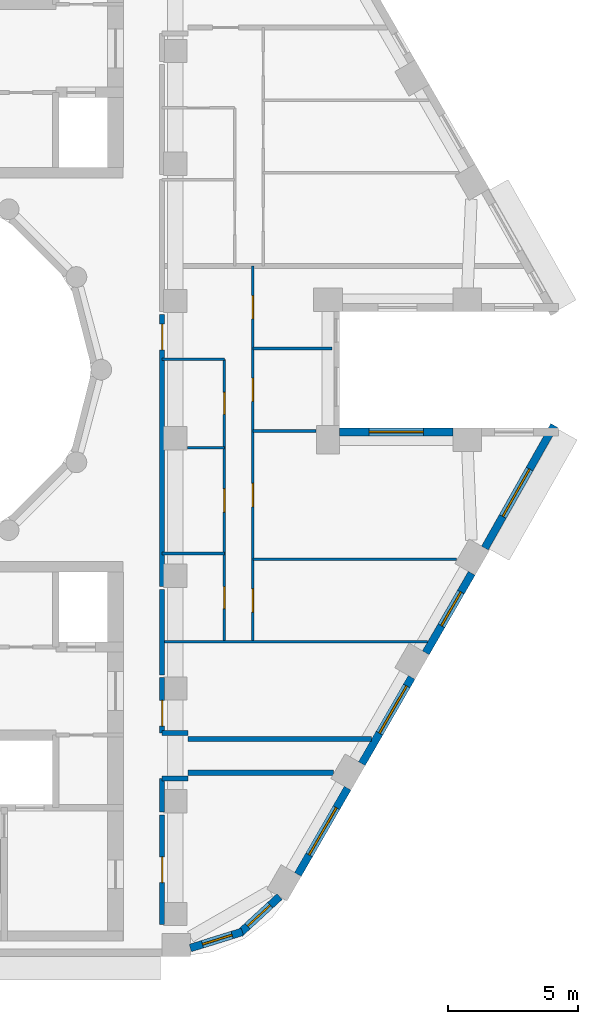
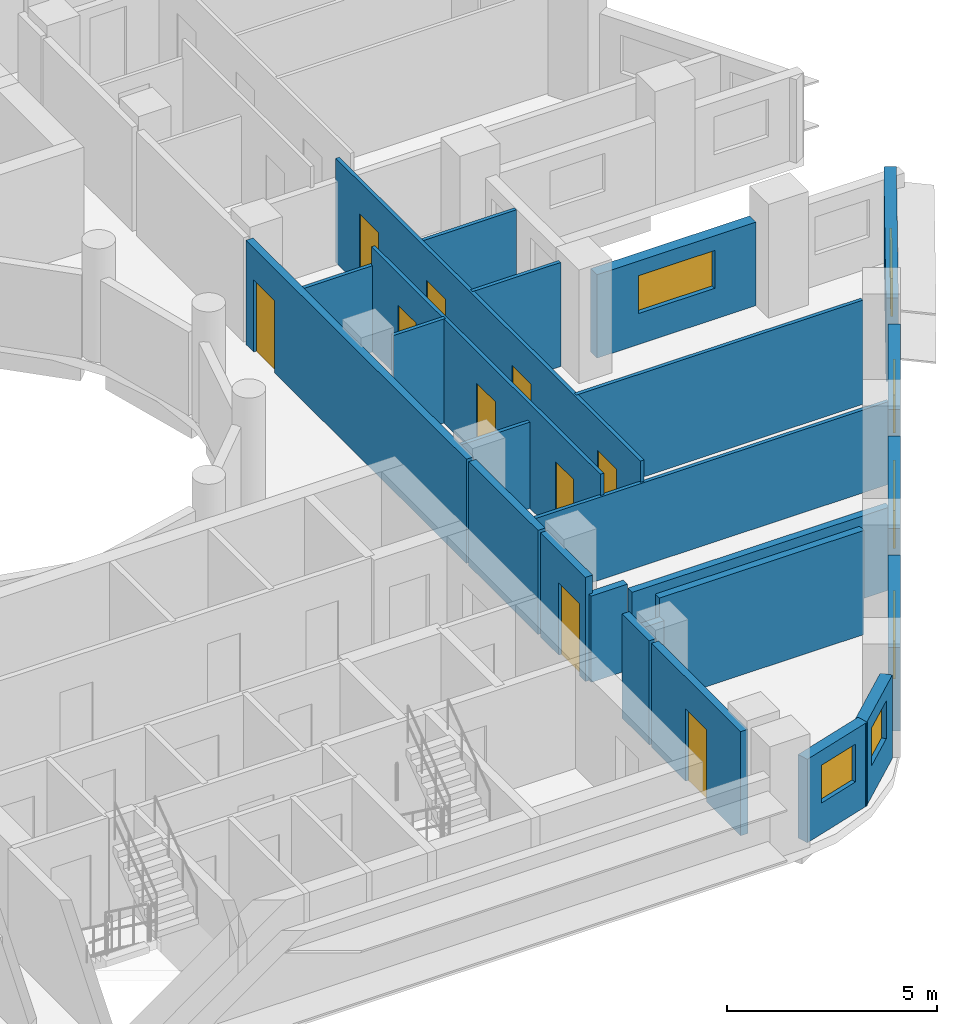
# One storey, part 5 of 12: 25 walls, 10 doors, 7 windows, 17 openings.
"""IFC4 building model written with IfcOpenShell, lengths in metres."""

from ifc_helpers import new_model, si_unit, direction, frame, frame_2d, origin, place, context, subcontext, project, spatial, rectangle, extrude, material, layer, layer_set, type_object, element, fill, save


model = new_model("IFC4")

# Units and contexts
model_context = context("Model", 3, precision=1e-05, world=origin(), true_north=direction((0.0, 1.0)))
body_context = subcontext(model_context, "Body", "Model", "MODEL_VIEW")
ifc_project = project(units=[si_unit("LENGTHUNIT", "METRE"), si_unit("AREAUNIT", "SQUARE_METRE"), si_unit("VOLUMEUNIT", "CUBIC_METRE"), si_unit("PLANEANGLEUNIT", "RADIAN"), si_unit("MASSUNIT", "GRAM", prefix="KILO")], contexts=[model_context])

# Site, building, storey
site_placement = place(None, origin())
site = spatial("IfcSite", under=ifc_project, at=site_placement, CompositionType="ELEMENT")
building_placement = place(site_placement, origin())
building = spatial("IfcBuilding", under=site, at=building_placement, Name="Nakaniwa Court", CompositionType="ELEMENT")
storey_placement = place(building_placement, frame((0.0, 0.0, 249.300048828125)))
storey = spatial("IfcBuildingStorey", under=building, at=storey_placement, Name="L65", CompositionType="ELEMENT", Elevation=249.300048828125)

# Wall, opening, door
ifc_material_1 = material(Name="Acoustic double stud partition")
ifc_layer_1 = layer(ifc_material_1, 0.199951171875)
ifc_layer_set_1 = layer_set([ifc_layer_1], Name="Acoustic double stud partition")
wall_type_1 = type_object("IfcWallType", Name="Acoustic double stud partition 200", PredefinedType="PARTITIONING", material=ifc_layer_set_1)
wall_1_placement = place(storey_placement, frame((89.5, 62.822998046875, 0.0), z_axis=(0.0, 0.0, 1.0), x_axis=(0.0, -1.0, 0.0)))
wall_1 = element("IfcWall", 1, at=wall_1_placement, inside=storey, type_object=wall_type_1, Name="Partition PW-059", PredefinedType="PARTITIONING", context=body_context, shape_type="SweptSolid", body=[
    extrude(rectangle(XDim=4.236083984375, YDim=0.199951171875, at=frame_2d((2.1181640625, 0.0))), origin(), (0.0, 0.0, 1.0), 3.02490234375),
])
opening_1_placement = place(wall_1_placement, frame((1.617919921875, 0.0, 0.0)))
opening_1 = element("IfcOpeningElement", 2, at=opening_1_placement, cuts=wall_1, Name="Opening D-02-01", PredefinedType="OPENING", context=body_context, shape_type="SweptSolid", body=[
    extrude(rectangle(XDim=1.0, YDim=2.10009765625, at=frame_2d((0.5, 1.050048828125))), frame((0.0, 0.10986328125, 0.0), z_axis=(0.0, -1.0, 0.0), x_axis=(1.0, 0.0, 0.0)), (0.0, 0.0, 1.0), 0.219970703125),
])
ifc_material_2 = material(Name="Solid core timber door set, black veneer", Category="wood")
door_type_1 = type_object("IfcDoorType", Name="Internal door 1000", OperationType="NOTDEFINED", PredefinedType="DOOR", material=ifc_material_2)
door_1_placement = place(opening_1_placement, origin())
door_1 = element("IfcDoor", 3, at=door_1_placement, inside=storey, type_object=door_type_1, Name="Door D-02-01 L65-031", OperationType="SINGLE_SWING_RIGHT", OverallHeight=2.10009765625, OverallWidth=1.0, PredefinedType="DOOR", context=body_context, shape_type="SweptSolid", body=[
    extrude(rectangle(XDim=1.0, YDim=2.10009765625, at=frame_2d((0.5, 1.050048828125))), frame((0.0, 0.02490234375, 0.0), z_axis=(0.0, -1.0, 0.0), x_axis=(1.0, 0.0, 0.0)), (0.0, 0.0, 1.0), 0.050048828125),
])
fill(opening_1, door_1)

# Wall
wall_2_placement = place(storey_placement, frame((89.5, 62.93701171875, 0.0), z_axis=(0.0, 0.0, 1.0), x_axis=(0.0, 1.0, 0.0)))
element("IfcWall", 4, at=wall_2_placement, inside=storey, type_object=wall_type_1, Name="Partition PW-060", PredefinedType="PARTITIONING", context=body_context, shape_type="SweptSolid", body=[
    extrude(rectangle(XDim=1.291015625, YDim=0.199951171875, at=frame_2d((0.6455078125, 0.0))), origin(), (0.0, 0.0, 1.0), 3.02490234375),
])

# Wall, opening, door
wall_3_placement = place(storey_placement, frame((89.5, 68.113037109375, 0.0), z_axis=(0.0, 0.0, 1.0), x_axis=(0.0, -1.0, 0.0)))
wall_3 = element("IfcWall", 5, at=wall_3_placement, inside=storey, type_object=wall_type_1, Name="Partition PW-061", PredefinedType="PARTITIONING", context=body_context, shape_type="SweptSolid", body=[
    extrude(rectangle(XDim=2.14111328125, YDim=0.199951171875, at=frame_2d((1.070556640625, 0.0))), origin(), (0.0, 0.0, 1.0), 3.02490234375),
])
opening_2_placement = place(wall_3_placement, frame((0.87109375, 0.0, 0.0)))
opening_2 = element("IfcOpeningElement", 6, at=opening_2_placement, cuts=wall_3, Name="Opening D-02-03", PredefinedType="OPENING", context=body_context, shape_type="SweptSolid", body=[
    extrude(rectangle(XDim=1.0, YDim=2.10009765625, at=frame_2d((0.5, 1.050048828125))), frame((0.0, 0.10986328125, 0.0), z_axis=(0.0, -1.0, 0.0), x_axis=(1.0, 0.0, 0.0)), (0.0, 0.0, 1.0), 0.219970703125),
])
door_2_placement = place(opening_2_placement, origin())
door_2 = element("IfcDoor", 7, at=door_2_placement, inside=storey, type_object=door_type_1, Name="Door D-02-03 L65-059", OperationType="SINGLE_SWING_RIGHT", OverallHeight=2.10009765625, OverallWidth=1.0, PredefinedType="DOOR", context=body_context, shape_type="SweptSolid", body=[
    extrude(rectangle(XDim=1.0, YDim=2.10009765625, at=frame_2d((0.5, 1.050048828125))), frame((0.0, 0.02490234375, 0.0), z_axis=(0.0, -1.0, 0.0), x_axis=(1.0, 0.0, 0.0)), (0.0, 0.0, 1.0), 0.050048828125),
])
fill(opening_2, door_2)

# Wall
wall_4_placement = place(storey_placement, frame((89.5, 68.22705078125, 0.0), z_axis=(0.0, 0.0, 1.0), x_axis=(0.0, 1.0, 0.0)))
element("IfcWall", 8, at=wall_4_placement, inside=storey, type_object=wall_type_1, Name="Partition PW-062", PredefinedType="PARTITIONING", context=body_context, shape_type="SweptSolid", body=[
    extrude(rectangle(XDim=3.2958984375, YDim=0.199951171875, at=frame_2d((1.64794921875, 0.0))), origin(), (0.0, 0.0, 1.0), 3.02490234375),
])

# Wall, opening, door
wall_5_placement = place(storey_placement, frame((89.5, 82.123046875, 0.0), z_axis=(0.0, 0.0, 1.0), x_axis=(0.0, -1.0, 0.0)))
wall_5 = element("IfcWall", 9, at=wall_5_placement, inside=storey, type_object=wall_type_1, Name="Partition PW-063", PredefinedType="PARTITIONING", context=body_context, shape_type="SweptSolid", body=[
    extrude(rectangle(XDim=10.486083984375, YDim=0.199951171875, at=frame_2d((5.2431640625, 0.0))), origin(), (0.0, 0.0, 1.0), 3.02490234375),
])
opening_3_placement = place(wall_5_placement, frame((0.363037109375, 0.0, 0.0)))
opening_3 = element("IfcOpeningElement", 10, at=opening_3_placement, cuts=wall_5, Name="Opening D-01-01", PredefinedType="OPENING", context=body_context, shape_type="SweptSolid", body=[
    extrude(rectangle(XDim=1.0, YDim=2.10009765625, at=frame_2d((0.5, 1.050048828125))), frame((0.0, 0.10986328125, 0.0), z_axis=(0.0, -1.0, 0.0), x_axis=(1.0, 0.0, 0.0)), (0.0, 0.0, 1.0), 0.219970703125),
])
door_type_2 = type_object("IfcDoorType", Name="Flat entrance door 1000", OperationType="NOTDEFINED", PredefinedType="DOOR", material=ifc_material_2)
door_3_placement = place(opening_3_placement, origin())
door_3 = element("IfcDoor", 11, at=door_3_placement, inside=storey, type_object=door_type_2, Name="Door D-01-01 L65-032", OperationType="SINGLE_SWING_LEFT", OverallHeight=2.10009765625, OverallWidth=1.0, PredefinedType="DOOR", context=body_context, shape_type="SweptSolid", body=[
    extrude(rectangle(XDim=1.0, YDim=2.10009765625, at=frame_2d((0.5, 1.050048828125))), frame((0.0, 0.02490234375, 0.0), z_axis=(0.0, -1.0, 0.0), x_axis=(1.0, 0.0, 0.0)), (0.0, 0.0, 1.0), 0.050048828125),
])
fill(opening_3, door_3)

# Walls
wall_6_placement = place(storey_placement, frame((90.5, 64.449951171875, 0.0), z_axis=(0.0, 0.0, 1.0), x_axis=(1.0, 0.0, 0.0)))
element("IfcWall", 12, at=wall_6_placement, inside=storey, type_object=wall_type_1, Name="Partition PW-079", PredefinedType="PARTITIONING", context=body_context, shape_type="SweptSolid", body=[
    extrude(rectangle(XDim=5.61669921875, YDim=0.199951171875, at=frame_2d((2.808349609375, 0.0))), origin(), (0.0, 0.0, 1.0), 3.02490234375),
])
for number, where, z_axis, x_axis, name in (
    (13, (89.5, 64.22509765625, 0.0), (0.0, 0.0, 1.0), (1.0, 0.0, 0.0), "Partition PW-081"),
    (14, (89.5, 65.97509765625, 0.0), (0.0, 0.0, 1.0), (1.0, 0.0, 0.0), "Partition PW-083"),
):
    element("IfcWall", number, at=place(storey_placement, frame(where, z_axis=z_axis, x_axis=x_axis)), inside=storey, type_object=wall_type_1, Name=name, PredefinedType="PARTITIONING", context=body_context, shape_type="SweptSolid", body=[
        extrude(rectangle(XDim=1.0, YDim=0.199951171875, at=frame_2d((0.5, 0.0))), origin(), (0.0, 0.0, 1.0), 2.5048828125),
    ])
wall_7_placement = place(storey_placement, frame((90.5, 65.75, 0.0), z_axis=(0.0, 0.0, 1.0), x_axis=(1.0, 0.0, 0.0)))
element("IfcWall", 15, at=wall_7_placement, inside=storey, type_object=wall_type_1, Name="Partition PW-085", PredefinedType="PARTITIONING", context=body_context, shape_type="SweptSolid", body=[
    extrude(rectangle(XDim=7.080322265625, YDim=0.199951171875, at=frame_2d((3.5400390625, 0.0))), origin(), (0.0, 0.0, 1.0), 2.405029296875),
])

# Wall, opening, window
ifc_material_3 = material(Name="Charcoal ceramic cladding")
ifc_layer_2 = layer(ifc_material_3, 0.02, Name="Ceramic cladding")
ifc_material_4 = material(Name="Ventilated air cavity")
ifc_layer_3 = layer(ifc_material_4, 0.04, ventilated=True, Name="Ventilated cavity")
ifc_material_5 = material(Name="Mineral wool insulation")
ifc_layer_4 = layer(ifc_material_5, 0.1, Name="Insulation")
ifc_material_6 = material(Name="Cement bonded sheathing board")
ifc_layer_5 = layer(ifc_material_6, 0.012, Name="Sheathing")
ifc_material_7 = material(Name="Cold-formed galvanised stud frame with mineral wool infill")
ifc_layer_6 = layer(ifc_material_7, 0.1, Name="Stud frame")
ifc_material_8 = material(Name="Fire-rated gypsum plasterboard lining")
ifc_layer_7 = layer(ifc_material_8, 0.028, Name="Lining")
ifc_layer_set_2 = layer_set([ifc_layer_2, ifc_layer_3, ifc_layer_4, ifc_layer_5, ifc_layer_6, ifc_layer_7], Name="Charcoal ceramic faced external wall system")
wall_type_2 = type_object("IfcWallType", Name="Black ceramic faced external wall 300", PredefinedType="SOLIDWALL", material=ifc_layer_set_2)
wall_8_placement = place(storey_placement, frame((90.585693359375, 57.68408203125, 0.0), z_axis=(0.0, 0.0, 1.0), x_axis=(0.954941641926, 0.296793632875, 0.0)))
wall_8 = element("IfcWall", 16, at=wall_8_placement, inside=storey, type_object=wall_type_2, Name="L65 external wall 27", PredefinedType="SOLIDWALL", context=body_context, shape_type="SweptSolid", body=[
    extrude(rectangle(XDim=2.1025390625, YDim=0.300048828125, at=frame_2d((1.05126953125, 0.0))), origin(), (0.0, 0.0, 1.0), 2.425048828125),
])
opening_4_placement = place(wall_8_placement, frame((0.490234375, 0.0, 0.89990234375)))
opening_4 = element("IfcOpeningElement", 17, at=opening_4_placement, cuts=wall_8, Name="Opening W6.28", PredefinedType="OPENING", context=body_context, shape_type="SweptSolid", body=[
    extrude(rectangle(XDim=1.199951171875, YDim=1.10009765625, at=frame_2d((0.60009765625, 0.550048828125))), frame((0.0, 0.159912109375, 0.0), z_axis=(0.0, -1.0, 0.0), x_axis=(1.0, 0.0, 0.0)), (0.0, 0.0, 1.0), 0.320068359375),
])
ifc_material_9 = material(Name="Black anodised aluminium frame with dark low-E laminated double glazing", Category="aluminium")
window_type_1 = type_object("IfcWindowType", Name="Dark glass window 1200x1100 sill 900", PartitioningType="SINGLE_PANEL", PredefinedType="WINDOW", material=ifc_material_9)
window_1_placement = place(opening_4_placement, origin())
window_1 = element("IfcWindow", 18, at=window_1_placement, inside=storey, type_object=window_type_1, Name="L65 habitable room window 27-0", OverallHeight=1.10009765625, OverallWidth=1.199951171875, PartitioningType="SINGLE_PANEL", PredefinedType="WINDOW", context=body_context, shape_type="SweptSolid", body=[
    extrude(rectangle(XDim=1.199951171875, YDim=1.10009765625, at=frame_2d((0.60009765625, 0.550048828125))), frame((0.0, 0.030029296875, 0.0), z_axis=(0.0, -1.0, 0.0), x_axis=(1.0, 0.0, 0.0)), (0.0, 0.0, 1.0), 0.06005859375),
])
fill(opening_4, window_1)

wall_9_placement = place(storey_placement, frame((92.489501953125, 58.247314453125, 0.0), z_axis=(0.0, 0.0, 1.0), x_axis=(0.734830223907, 0.678251090698, 0.0)))
wall_9 = element("IfcWall", 19, at=wall_9_placement, inside=storey, type_object=wall_type_2, Name="L65 external wall 28", PredefinedType="SOLIDWALL", context=body_context, shape_type="SweptSolid", body=[
    extrude(rectangle(XDim=2.09716796875, YDim=0.300048828125, at=frame_2d((1.048583984375, 0.0))), origin(), (0.0, 0.0, 1.0), 2.425048828125),
])
opening_5_placement = place(wall_9_placement, frame((0.409423828125, 0.0, 0.89990234375)))
opening_5 = element("IfcOpeningElement", 20, at=opening_5_placement, cuts=wall_9, Name="Opening W6.29", PredefinedType="OPENING", context=body_context, shape_type="SweptSolid", body=[
    extrude(rectangle(XDim=1.199951171875, YDim=1.10009765625, at=frame_2d((0.60009765625, 0.550048828125))), frame((0.0, 0.159912109375, 0.0), z_axis=(0.0, -1.0, 0.0), x_axis=(1.0, 0.0, 0.0)), (0.0, 0.0, 1.0), 0.320068359375),
])
window_2_placement = place(opening_5_placement, origin())
window_2 = element("IfcWindow", 21, at=window_2_placement, inside=storey, type_object=window_type_1, Name="L65 habitable room window 28-0", OverallHeight=1.10009765625, OverallWidth=1.199951171875, PartitioningType="SINGLE_PANEL", PredefinedType="WINDOW", context=body_context, shape_type="SweptSolid", body=[
    extrude(rectangle(XDim=1.199951171875, YDim=1.10009765625, at=frame_2d((0.60009765625, 0.550048828125))), frame((0.0, 0.030029296875, 0.0), z_axis=(0.0, -1.0, 0.0), x_axis=(1.0, 0.0, 0.0)), (0.0, 0.0, 1.0), 0.06005859375),
])
fill(opening_5, window_2)

wall_10_placement = place(storey_placement, frame((94.73583984375, 60.523193359375, 0.0), z_axis=(0.0, 0.0, 1.0), x_axis=(0.499984490703, 0.866034357896, 0.0)))
wall_10 = element("IfcWall", 22, at=wall_10_placement, inside=storey, type_object=wall_type_2, Name="L65 external wall 29", PredefinedType="SOLIDWALL", context=body_context, shape_type="SweptSolid", body=[
    extrude(rectangle(XDim=3.84423828125, YDim=0.300048828125, at=frame_2d((1.922119140625, 0.0))), origin(), (0.0, 0.0, 1.0), 2.425048828125),
])
opening_6_placement = place(wall_10_placement, frame((0.872314453125, 0.0, 0.89990234375)))
opening_6 = element("IfcOpeningElement", 23, at=opening_6_placement, cuts=wall_10, Name="Opening W7.30", PredefinedType="OPENING", context=body_context, shape_type="SweptSolid", body=[
    extrude(rectangle(XDim=2.10009765625, YDim=1.10009765625, at=frame_2d((1.050048828125, 0.550048828125))), frame((0.0, 0.159912109375, 0.0), z_axis=(0.0, -1.0, 0.0), x_axis=(1.0, 0.0, 0.0)), (0.0, 0.0, 1.0), 0.320068359375),
])
window_type_2 = type_object("IfcWindowType", Name="Dark glass window 2100x1100 sill 900", PartitioningType="SINGLE_PANEL", PredefinedType="WINDOW", material=ifc_material_9)
window_3_placement = place(opening_6_placement, origin())
window_3 = element("IfcWindow", 24, at=window_3_placement, inside=storey, type_object=window_type_2, Name="L65 habitable room window 29-0", OverallHeight=1.10009765625, OverallWidth=2.10009765625, PartitioningType="SINGLE_PANEL", PredefinedType="WINDOW", context=body_context, shape_type="SweptSolid", body=[
    extrude(rectangle(XDim=2.10009765625, YDim=1.10009765625, at=frame_2d((1.050048828125, 0.550048828125))), frame((0.0, 0.030029296875, 0.0), z_axis=(0.0, -1.0, 0.0), x_axis=(1.0, 0.0, 0.0)), (0.0, 0.0, 1.0), 0.06005859375),
])
fill(opening_6, window_3)

wall_11_placement = place(storey_placement, frame((97.2041015625, 64.798095703125, 0.0), z_axis=(0.0, 0.0, 1.0), x_axis=(0.499984490703, 0.866034357896, 0.0)))
wall_11 = element("IfcWall", 25, at=wall_11_placement, inside=storey, type_object=wall_type_2, Name="L65 external wall 30", PredefinedType="SOLIDWALL", context=body_context, shape_type="SweptSolid", body=[
    extrude(rectangle(XDim=3.84423828125, YDim=0.300048828125, at=frame_2d((1.922119140625, 0.0))), origin(), (0.0, 0.0, 1.0), 2.425048828125),
])
opening_7_placement = place(wall_11_placement, frame((1.360595703125, 0.0, 0.89990234375)))
opening_7 = element("IfcOpeningElement", 26, at=opening_7_placement, cuts=wall_11, Name="Opening W7.31", PredefinedType="OPENING", context=body_context, shape_type="SweptSolid", body=[
    extrude(rectangle(XDim=2.10009765625, YDim=1.10009765625, at=frame_2d((1.050048828125, 0.550048828125))), frame((0.0, 0.159912109375, 0.0), z_axis=(0.0, -1.0, 0.0), x_axis=(1.0, 0.0, 0.0)), (0.0, 0.0, 1.0), 0.320068359375),
])
window_4_placement = place(opening_7_placement, origin())
window_4 = element("IfcWindow", 27, at=window_4_placement, inside=storey, type_object=window_type_2, Name="L65 habitable room window 30-1", OverallHeight=1.10009765625, OverallWidth=2.10009765625, PartitioningType="SINGLE_PANEL", PredefinedType="WINDOW", context=body_context, shape_type="SweptSolid", body=[
    extrude(rectangle(XDim=2.10009765625, YDim=1.10009765625, at=frame_2d((1.050048828125, 0.550048828125))), frame((0.0, 0.030029296875, 0.0), z_axis=(0.0, -1.0, 0.0), x_axis=(1.0, 0.0, 0.0)), (0.0, 0.0, 1.0), 0.06005859375),
])
fill(opening_7, window_4)

wall_12_placement = place(storey_placement, frame((99.672119140625, 69.072998046875, 0.0), z_axis=(0.0, 0.0, 1.0), x_axis=(0.500010404316, 0.866019396766, 0.0)))
wall_12 = element("IfcWall", 28, at=wall_12_placement, inside=storey, type_object=wall_type_2, Name="L65 external wall 31", PredefinedType="SOLIDWALL", context=body_context, shape_type="SweptSolid", body=[
    extrude(rectangle(XDim=3.54736328125, YDim=0.300048828125, at=frame_2d((1.773681640625, 0.0))), origin(), (0.0, 0.0, 1.0), 2.425048828125),
])
opening_8_placement = place(wall_12_placement, frame((1.208984375, 0.0, 0.89990234375)))
opening_8 = element("IfcOpeningElement", 29, at=opening_8_placement, cuts=wall_12, Name="Opening W5.32", PredefinedType="OPENING", context=body_context, shape_type="SweptSolid", body=[
    extrude(rectangle(XDim=1.5, YDim=1.10009765625, at=frame_2d((0.75, 0.550048828125))), frame((0.0, 0.159912109375, 0.0), z_axis=(0.0, -1.0, 0.0), x_axis=(1.0, 0.0, 0.0)), (0.0, 0.0, 1.0), 0.320068359375),
])
window_type_3 = type_object("IfcWindowType", Name="Dark glass window 1500x1100 sill 900", PartitioningType="SINGLE_PANEL", PredefinedType="WINDOW", material=ifc_material_9)
window_5_placement = place(opening_8_placement, origin())
window_5 = element("IfcWindow", 30, at=window_5_placement, inside=storey, type_object=window_type_3, Name="L65 bedroom window 31-1", OverallHeight=1.10009765625, OverallWidth=1.5, PartitioningType="SINGLE_PANEL", PredefinedType="WINDOW", context=body_context, shape_type="SweptSolid", body=[
    extrude(rectangle(XDim=1.5, YDim=1.10009765625, at=frame_2d((0.75, 0.550048828125))), frame((0.0, 0.030029296875, 0.0), z_axis=(0.0, -1.0, 0.0), x_axis=(1.0, 0.0, 0.0)), (0.0, 0.0, 1.0), 0.06005859375),
])
fill(opening_8, window_5)

wall_13_placement = place(storey_placement, frame((101.951904296875, 73.113525390625, 0.0), z_axis=(0.0, 0.0, 1.0), x_axis=(0.492080931903, 0.870549456641, 0.0)))
wall_13 = element("IfcWall", 31, at=wall_13_placement, inside=storey, type_object=wall_type_2, Name="L65 external wall 32", PredefinedType="SOLIDWALL", context=body_context, shape_type="SweptSolid", body=[
    extrude(rectangle(XDim=5.436767578125, YDim=0.300048828125, at=frame_2d((2.71826171875, 0.0))), origin(), (0.0, 0.0, 1.0), 2.425048828125),
])
opening_9_placement = place(wall_13_placement, frame((1.405517578125, 0.0, 0.89990234375)))
opening_9 = element("IfcOpeningElement", 32, at=opening_9_placement, cuts=wall_13, Name="Opening W7.33", PredefinedType="OPENING", context=body_context, shape_type="SweptSolid", body=[
    extrude(rectangle(XDim=2.10009765625, YDim=1.10009765625, at=frame_2d((1.050048828125, 0.550048828125))), frame((0.0, 0.159912109375, 0.0), z_axis=(0.0, -1.0, 0.0), x_axis=(1.0, 0.0, 0.0)), (0.0, 0.0, 1.0), 0.320068359375),
])
window_6_placement = place(opening_9_placement, origin())
window_6 = element("IfcWindow", 33, at=window_6_placement, inside=storey, type_object=window_type_2, Name="L65 living window 32-0", OverallHeight=1.10009765625, OverallWidth=2.10009765625, PartitioningType="SINGLE_PANEL", PredefinedType="WINDOW", context=body_context, shape_type="SweptSolid", body=[
    extrude(rectangle(XDim=2.10009765625, YDim=1.10009765625, at=frame_2d((1.050048828125, 0.550048828125))), frame((0.0, 0.030029296875, 0.0), z_axis=(0.0, -1.0, 0.0), x_axis=(1.0, 0.0, 0.0)), (0.0, 0.0, 1.0), 0.06005859375),
])
fill(opening_9, window_6)

wall_14_placement = place(storey_placement, frame((100.718017578125, 77.60009765625, 0.0), z_axis=(0.0, 0.0, 1.0), x_axis=(-1.0, 0.0, 0.0)))
wall_14 = element("IfcWall", 34, at=wall_14_placement, inside=storey, type_object=wall_type_2, Name="L65 external wall 34", PredefinedType="SOLIDWALL", context=body_context, shape_type="SweptSolid", body=[
    extrude(rectangle(XDim=4.37255859375, YDim=0.300048828125, at=frame_2d((2.186279296875, 0.0))), origin(), (0.0, 0.0, 1.0), 2.425048828125),
])
opening_10_placement = place(wall_14_placement, frame((1.13623046875, 0.0, 0.89990234375)))
opening_10 = element("IfcOpeningElement", 35, at=opening_10_placement, cuts=wall_14, Name="Opening W7.35", PredefinedType="OPENING", context=body_context, shape_type="SweptSolid", body=[
    extrude(rectangle(XDim=2.10009765625, YDim=1.10009765625, at=frame_2d((1.050048828125, 0.550048828125))), frame((0.0, 0.159912109375, 0.0), z_axis=(0.0, -1.0, 0.0), x_axis=(1.0, 0.0, 0.0)), (0.0, 0.0, 1.0), 0.320068359375),
])
window_7_placement = place(opening_10_placement, origin())
window_7 = element("IfcWindow", 36, at=window_7_placement, inside=storey, type_object=window_type_2, Name="L65 living window 34-0", OverallHeight=1.10009765625, OverallWidth=2.10009765625, PartitioningType="SINGLE_PANEL", PredefinedType="WINDOW", context=body_context, shape_type="SweptSolid", body=[
    extrude(rectangle(XDim=2.10009765625, YDim=1.10009765625, at=frame_2d((1.050048828125, 0.550048828125))), frame((0.0, 0.030029296875, 0.0), z_axis=(0.0, -1.0, 0.0), x_axis=(1.0, 0.0, 0.0)), (0.0, 0.0, 1.0), 0.06005859375),
])
fill(opening_10, window_7)

# Wall
ifc_material_10 = material(Name="Single stud plasterboard partition")
ifc_layer_8 = layer(ifc_material_10, 0.10009765625)
ifc_layer_set_3 = layer_set([ifc_layer_8], Name="Single stud plasterboard partition")
wall_type_3 = type_object("IfcWallType", Name="Single stud plasterboard partition 100", PredefinedType="PARTITIONING", material=ifc_layer_set_3)
wall_15_placement = place(storey_placement, frame((89.5, 72.906005859375, 0.0), z_axis=(0.0, 0.0, 1.0), x_axis=(1.0, 0.0, 0.0)))
element("IfcWall", 37, at=wall_15_placement, inside=storey, type_object=wall_type_3, Name="Partition PW-096", PredefinedType="PARTITIONING", context=body_context, shape_type="SweptSolid", body=[
    extrude(rectangle(XDim=2.39990234375, YDim=0.10009765625, at=frame_2d((1.199951171875, 0.0))), origin(), (0.0, 0.0, 1.0), 2.5048828125),
])

# Wall, openings, doors
wall_16_placement = place(storey_placement, frame((91.89990234375, 69.5, 0.0), z_axis=(0.0, 0.0, 1.0), x_axis=(0.0, 1.0, 0.0)))
wall_16 = element("IfcWall", 38, at=wall_16_placement, inside=storey, type_object=wall_type_3, Name="Partition PW-097", PredefinedType="PARTITIONING", context=body_context, shape_type="SweptSolid", body=[
    extrude(rectangle(XDim=10.89990234375, YDim=0.10009765625, at=frame_2d((5.449951171875, 0.0))), origin(), (0.0, 0.0, 1.0), 3.02490234375),
])
opening_11_placement = place(wall_16_placement, frame((1.278076171875, 0.0, 0.0)))
opening_11 = element("IfcOpeningElement", 39, at=opening_11_placement, cuts=wall_16, Name="Opening D-03-01", PredefinedType="OPENING", context=body_context, shape_type="SweptSolid", body=[
    extrude(rectangle(XDim=0.85009765625, YDim=2.10009765625, at=frame_2d((0.425048828125, 1.050048828125))), frame((0.0, 0.06005859375, 0.0), z_axis=(0.0, -1.0, 0.0), x_axis=(1.0, 0.0, 0.0)), (0.0, 0.0, 1.0), 0.1201171875),
])
opening_12_placement = place(wall_16_placement, frame((5.0, 0.0, 0.0)))
opening_12 = element("IfcOpeningElement", 40, at=opening_12_placement, cuts=wall_16, Name="Opening D-33-01", PredefinedType="OPENING", context=body_context, shape_type="SweptSolid", body=[
    extrude(rectangle(XDim=0.89990234375, YDim=2.10009765625, at=frame_2d((0.449951171875, 1.050048828125))), frame((0.0, 0.06005859375, 0.0), z_axis=(0.0, -1.0, 0.0), x_axis=(1.0, 0.0, 0.0)), (0.0, 0.0, 1.0), 0.1201171875),
])
opening_13_placement = place(wall_16_placement, frame((8.77197265625, 0.0, 0.0)))
opening_13 = element("IfcOpeningElement", 41, at=opening_13_placement, cuts=wall_16, Name="Opening D-03-02", PredefinedType="OPENING", context=body_context, shape_type="SweptSolid", body=[
    extrude(rectangle(XDim=0.85009765625, YDim=2.10009765625, at=frame_2d((0.425048828125, 1.050048828125))), frame((0.0, 0.06005859375, 0.0), z_axis=(0.0, -1.0, 0.0), x_axis=(1.0, 0.0, 0.0)), (0.0, 0.0, 1.0), 0.1201171875),
])
ifc_material_11 = material(Name="Moisture sealed timber door set", Category="wood")
door_type_3 = type_object("IfcDoorType", Name="Bathroom door 850", OperationType="NOTDEFINED", PredefinedType="DOOR", material=ifc_material_11)
door_4_placement = place(opening_11_placement, origin())
door_4 = element("IfcDoor", 42, at=door_4_placement, inside=storey, type_object=door_type_3, Name="Door D-03-01 L65-033", OperationType="SINGLE_SWING_RIGHT", OverallHeight=2.10009765625, OverallWidth=0.85009765625, PredefinedType="DOOR", context=body_context, shape_type="SweptSolid", body=[
    extrude(rectangle(XDim=0.85009765625, YDim=2.10009765625, at=frame_2d((0.425048828125, 1.050048828125))), frame((0.0, 0.02490234375, 0.0), z_axis=(0.0, -1.0, 0.0), x_axis=(1.0, 0.0, 0.0)), (0.0, 0.0, 1.0), 0.050048828125),
])
fill(opening_11, door_4)
door_5_placement = place(opening_13_placement, origin())
door_5 = element("IfcDoor", 43, at=door_5_placement, inside=storey, type_object=door_type_3, Name="Door D-03-02 L65-035", OperationType="SINGLE_SWING_RIGHT", OverallHeight=2.10009765625, OverallWidth=0.85009765625, PredefinedType="DOOR", context=body_context, shape_type="SweptSolid", body=[
    extrude(rectangle(XDim=0.85009765625, YDim=2.10009765625, at=frame_2d((0.425048828125, 1.050048828125))), frame((0.0, 0.02490234375, 0.0), z_axis=(0.0, -1.0, 0.0), x_axis=(1.0, 0.0, 0.0)), (0.0, 0.0, 1.0), 0.050048828125),
])
fill(opening_13, door_5)
door_type_4 = type_object("IfcDoorType", Name="Internal door 900", OperationType="NOTDEFINED", PredefinedType="DOOR", material=ifc_material_2)
door_6_placement = place(opening_12_placement, origin())
door_6 = element("IfcDoor", 44, at=door_6_placement, inside=storey, type_object=door_type_4, Name="Door D-33-01 L65-034", OperationType="SINGLE_SWING_LEFT", OverallHeight=2.10009765625, OverallWidth=0.89990234375, PredefinedType="DOOR", context=body_context, shape_type="SweptSolid", body=[
    extrude(rectangle(XDim=0.89990234375, YDim=2.10009765625, at=frame_2d((0.449951171875, 1.050048828125))), frame((0.0, 0.02490234375, 0.0), z_axis=(0.0, -1.0, 0.0), x_axis=(1.0, 0.0, 0.0)), (0.0, 0.0, 1.0), 0.050048828125),
])
fill(opening_12, door_6)

# Walls
wall_17_placement = place(storey_placement, frame((89.5, 69.5, 0.0), z_axis=(0.0, 0.0, 1.0), x_axis=(1.0, 0.0, 0.0)))
element("IfcWall", 45, at=wall_17_placement, inside=storey, type_object=wall_type_3, Name="Partition PW-098", PredefinedType="PARTITIONING", context=body_context, shape_type="SweptSolid", body=[
    extrude(rectangle(XDim=10.245361328125, YDim=0.10009765625, at=frame_2d((5.12255859375, 0.0))), origin(), (0.0, 0.0, 1.0), 2.405029296875),
])
wall_18_placement = place(storey_placement, frame((90.469970703125, 76.993896484375, 0.0), z_axis=(0.0, 0.0, 1.0), x_axis=(1.0, 0.0, 0.0)))
element("IfcWall", 46, at=wall_18_placement, inside=storey, type_object=wall_type_3, Name="Partition PW-099", PredefinedType="PARTITIONING", context=body_context, shape_type="SweptSolid", body=[
    extrude(rectangle(XDim=1.429931640625, YDim=0.10009765625, at=frame_2d((0.71484375, 0.0))), origin(), (0.0, 0.0, 1.0), 3.02490234375),
])
wall_19_placement = place(storey_placement, frame((89.5, 80.39990234375, 0.0), z_axis=(0.0, 0.0, 1.0), x_axis=(1.0, 0.0, 0.0)))
element("IfcWall", 47, at=wall_19_placement, inside=storey, type_object=wall_type_3, Name="Partition PW-100", PredefinedType="PARTITIONING", context=body_context, shape_type="SweptSolid", body=[
    extrude(rectangle(XDim=2.39990234375, YDim=0.10009765625, at=frame_2d((1.199951171875, 0.0))), origin(), (0.0, 0.0, 1.0), 2.5048828125),
])

# Wall, openings, doors
wall_20_placement = place(storey_placement, frame((93.0, 84.0, 0.0), z_axis=(0.0, 0.0, 1.0), x_axis=(0.0, -1.0, 0.0)))
wall_20 = element("IfcWall", 48, at=wall_20_placement, inside=storey, type_object=wall_type_3, Name="Partition PW-101", PredefinedType="PARTITIONING", context=body_context, shape_type="SweptSolid", body=[
    extrude(rectangle(XDim=14.5, YDim=0.10009765625, at=frame_2d((7.25, 0.0))), origin(), (0.0, 0.0, 1.0), 3.02490234375),
])
opening_14_placement = place(wall_20_placement, frame((12.458984375, 0.0, 0.0)))
opening_14 = element("IfcOpeningElement", 49, at=opening_14_placement, cuts=wall_20, Name="Opening D-33-02", PredefinedType="OPENING", context=body_context, shape_type="SweptSolid", body=[
    extrude(rectangle(XDim=0.89990234375, YDim=2.10009765625, at=frame_2d((0.449951171875, 1.050048828125))), frame((0.0, 0.06005859375, 0.0), z_axis=(0.0, -1.0, 0.0), x_axis=(1.0, 0.0, 0.0)), (0.0, 0.0, 1.0), 0.1201171875),
])
opening_15_placement = place(wall_20_placement, frame((8.39111328125, 0.0, 0.0)))
opening_15 = element("IfcOpeningElement", 50, at=opening_15_placement, cuts=wall_20, Name="Opening D-33-03", PredefinedType="OPENING", context=body_context, shape_type="SweptSolid", body=[
    extrude(rectangle(XDim=0.89990234375, YDim=2.10009765625, at=frame_2d((0.449951171875, 1.050048828125))), frame((0.0, 0.06005859375, 0.0), z_axis=(0.0, -1.0, 0.0), x_axis=(1.0, 0.0, 0.0)), (0.0, 0.0, 1.0), 0.1201171875),
])
opening_16_placement = place(wall_20_placement, frame((4.323974609375, 0.0, 0.0)))
opening_16 = element("IfcOpeningElement", 51, at=opening_16_placement, cuts=wall_20, Name="Opening D-33-04", PredefinedType="OPENING", context=body_context, shape_type="SweptSolid", body=[
    extrude(rectangle(XDim=0.89990234375, YDim=2.10009765625, at=frame_2d((0.449951171875, 1.050048828125))), frame((0.0, 0.06005859375, 0.0), z_axis=(0.0, -1.0, 0.0), x_axis=(1.0, 0.0, 0.0)), (0.0, 0.0, 1.0), 0.1201171875),
])
opening_17_placement = place(wall_20_placement, frame((1.14111328125, 0.0, 0.0)))
opening_17 = element("IfcOpeningElement", 52, at=opening_17_placement, cuts=wall_20, Name="Opening D-33-05", PredefinedType="OPENING", context=body_context, shape_type="SweptSolid", body=[
    extrude(rectangle(XDim=0.89990234375, YDim=2.10009765625, at=frame_2d((0.449951171875, 1.050048828125))), frame((0.0, 0.06005859375, 0.0), z_axis=(0.0, -1.0, 0.0), x_axis=(1.0, 0.0, 0.0)), (0.0, 0.0, 1.0), 0.1201171875),
])
door_7_placement = place(opening_14_placement, origin())
door_7 = element("IfcDoor", 53, at=door_7_placement, inside=storey, type_object=door_type_4, Name="Door D-33-02 L65-036", OperationType="SINGLE_SWING_LEFT", OverallHeight=2.10009765625, OverallWidth=0.89990234375, PredefinedType="DOOR", context=body_context, shape_type="SweptSolid", body=[
    extrude(rectangle(XDim=0.89990234375, YDim=2.10009765625, at=frame_2d((0.449951171875, 1.050048828125))), frame((0.0, 0.02490234375, 0.0), z_axis=(0.0, -1.0, 0.0), x_axis=(1.0, 0.0, 0.0)), (0.0, 0.0, 1.0), 0.050048828125),
])
fill(opening_14, door_7)
door_8_placement = place(opening_15_placement, origin())
door_8 = element("IfcDoor", 54, at=door_8_placement, inside=storey, type_object=door_type_4, Name="Door D-33-03 L65-037", OperationType="SINGLE_SWING_RIGHT", OverallHeight=2.10009765625, OverallWidth=0.89990234375, PredefinedType="DOOR", context=body_context, shape_type="SweptSolid", body=[
    extrude(rectangle(XDim=0.89990234375, YDim=2.10009765625, at=frame_2d((0.449951171875, 1.050048828125))), frame((0.0, 0.02490234375, 0.0), z_axis=(0.0, -1.0, 0.0), x_axis=(1.0, 0.0, 0.0)), (0.0, 0.0, 1.0), 0.050048828125),
])
fill(opening_15, door_8)
door_9_placement = place(opening_16_placement, origin())
door_9 = element("IfcDoor", 55, at=door_9_placement, inside=storey, type_object=door_type_4, Name="Door D-33-04 L65-038", OperationType="SINGLE_SWING_LEFT", OverallHeight=2.10009765625, OverallWidth=0.89990234375, PredefinedType="DOOR", context=body_context, shape_type="SweptSolid", body=[
    extrude(rectangle(XDim=0.89990234375, YDim=2.10009765625, at=frame_2d((0.449951171875, 1.050048828125))), frame((0.0, 0.02490234375, 0.0), z_axis=(0.0, -1.0, 0.0), x_axis=(1.0, 0.0, 0.0)), (0.0, 0.0, 1.0), 0.050048828125),
])
fill(opening_16, door_9)
door_10_placement = place(opening_17_placement, origin())
door_10 = element("IfcDoor", 56, at=door_10_placement, inside=storey, type_object=door_type_4, Name="Door D-33-05 L65-039", OperationType="SINGLE_SWING_RIGHT", OverallHeight=2.10009765625, OverallWidth=0.89990234375, PredefinedType="DOOR", context=body_context, shape_type="SweptSolid", body=[
    extrude(rectangle(XDim=0.89990234375, YDim=2.10009765625, at=frame_2d((0.449951171875, 1.050048828125))), frame((0.0, 0.02490234375, 0.0), z_axis=(0.0, -1.0, 0.0), x_axis=(1.0, 0.0, 0.0)), (0.0, 0.0, 1.0), 0.050048828125),
])
fill(opening_17, door_10)

# Walls
wall_21_placement = place(storey_placement, frame((93.0, 72.68310546875, 0.0), z_axis=(0.0, 0.0, 1.0), x_axis=(1.0, 0.0, 0.0)))
element("IfcWall", 57, at=wall_21_placement, inside=storey, type_object=wall_type_3, Name="Partition PW-103", PredefinedType="PARTITIONING", context=body_context, shape_type="SweptSolid", body=[
    extrude(rectangle(XDim=7.8671875, YDim=0.10009765625, at=frame_2d((3.93359375, 0.0))), origin(), (0.0, 0.0, 1.0), 3.02490234375),
])
wall_22_placement = place(storey_placement, frame((93.0, 77.634033203125, 0.0), z_axis=(0.0, 0.0, 1.0), x_axis=(1.0, 0.0, 0.0)))
element("IfcWall", 58, at=wall_22_placement, inside=storey, type_object=wall_type_3, Name="Partition PW-104", PredefinedType="PARTITIONING", context=body_context, shape_type="SweptSolid", body=[
    extrude(rectangle(XDim=2.429443359375, YDim=0.10009765625, at=frame_2d((1.21484375, 0.0))), origin(), (0.0, 0.0, 1.0), 3.02490234375),
])
wall_23_placement = place(storey_placement, frame((93.0, 80.81689453125, 0.0), z_axis=(0.0, 0.0, 1.0), x_axis=(1.0, 0.0, 0.0)))
element("IfcWall", 59, at=wall_23_placement, inside=storey, type_object=wall_type_3, Name="Partition PW-105", PredefinedType="PARTITIONING", context=body_context, shape_type="SweptSolid", body=[
    extrude(rectangle(XDim=3.049560546875, YDim=0.10009765625, at=frame_2d((1.52490234375, 0.0))), origin(), (0.0, 0.0, 1.0), 2.405029296875),
])

save(model, "model.ifc")
